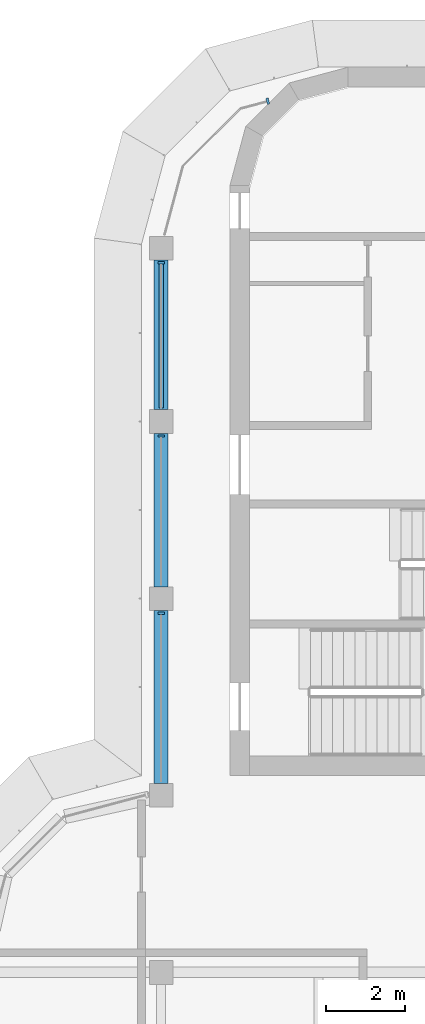
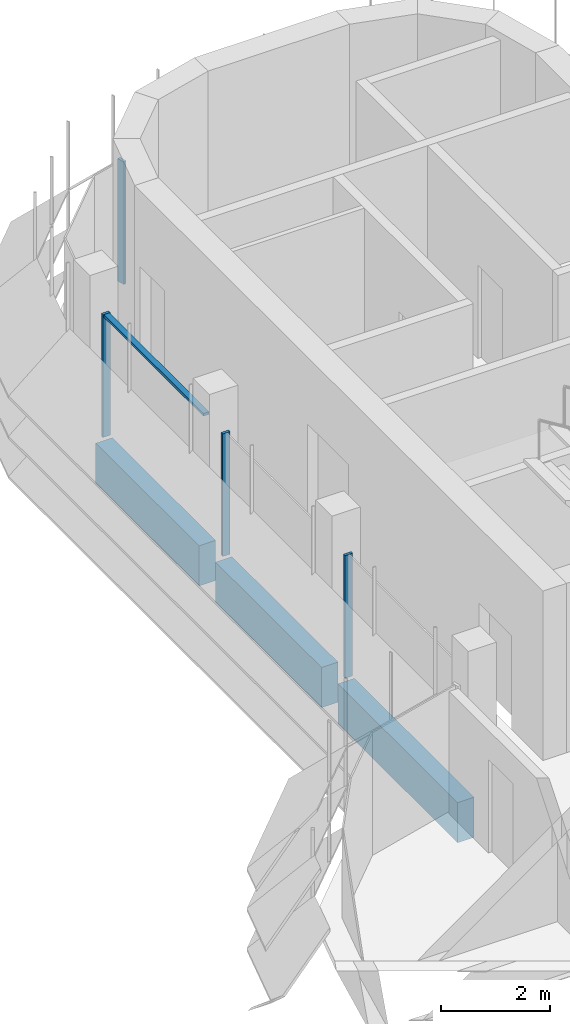
# One storey, part 7 of 19: 5 members, 3 beams, 2 elements without a shape of their own.
"""IFC4 building model written with IfcOpenShell, lengths in metres."""

from ifc_helpers import new_model, si_unit, direction, frame, origin, origin_2d, place, context, subcontext, project, spatial, polyline, rectangle, outline, extrude, source, transform, mapped, material, material_profile, profile_set, type_object, element, aggregate, save


model = new_model("IFC4")

# Units and contexts
model_context = context("Model", 3, precision=1e-05, world=origin(), true_north=direction((0.0, 1.0)))
body_context = subcontext(model_context, "Body", "Model", "MODEL_VIEW")
ifc_project = project(units=[si_unit("LENGTHUNIT", "METRE"), si_unit("AREAUNIT", "SQUARE_METRE"), si_unit("VOLUMEUNIT", "CUBIC_METRE"), si_unit("PLANEANGLEUNIT", "RADIAN"), si_unit("MASSUNIT", "GRAM", prefix="KILO")], contexts=[model_context])

# Site, building, storey
site_placement = place(None, origin())
site = spatial("IfcSite", under=ifc_project, at=site_placement, CompositionType="ELEMENT")
building_placement = place(site_placement, origin())
building = spatial("IfcBuilding", under=site, at=building_placement, Name="Zarbagh Exchange Tower", CompositionType="ELEMENT")
storey_placement = place(building_placement, frame((0.0, 0.0, 265.0)))
storey = spatial("IfcBuildingStorey", under=building, at=storey_placement, Name="L65", CompositionType="ELEMENT", Elevation=265.0)

# Beams
ifc_material_1 = material(Name="Concrete C40/50", Category="concrete")
ifc_material_profile = material_profile(ifc_material_1, rectangle(XDim=0.35009765625, YDim=0.89990234375, at=origin_2d()), Name="RC spandrel beam 350 x 900 C40/50")
ifc_profile_set = profile_set([ifc_material_profile], Name="Concrete C40/50")
beam_type = type_object("IfcBeamType", Name="RC spandrel beam 350 x 900 C40/50", PredefinedType="SPANDREL", material=ifc_profile_set)
beam_1_placement = place(storey_placement, frame((-6.25, 11.050048828125, -0.60009765625), z_axis=(0.0, 1.0, 0.0), x_axis=(-1.0, 0.0, 0.0)))
element("IfcBeam", 1, at=beam_1_placement, inside=storey, type_object=beam_type, Name="RC spandrel beam", PredefinedType="SPANDREL", context=body_context, shape_type="SweptSolid", body=[
    extrude(rectangle(XDim=0.35009765625, YDim=0.89990234375, at=origin_2d()), origin(), (0.0, 0.0, 1.0), 4.39990234375),
])
beam_2_placement = place(storey_placement, frame((-6.25, 16.050048828125, -0.60009765625), z_axis=(0.0, 1.0, 0.0), x_axis=(-1.0, 0.0, 0.0)))
element("IfcBeam", 2, at=beam_2_placement, inside=storey, type_object=beam_type, Name="RC spandrel beam", PredefinedType="SPANDREL", context=body_context, shape_type="SweptSolid", body=[
    extrude(rectangle(XDim=0.35009765625, YDim=0.89990234375, at=origin_2d()), origin(), (0.0, 0.0, 1.0), 3.89990234375),
])
beam_3_placement = place(storey_placement, frame((-6.25, 20.550048828125, -0.60009765625), z_axis=(0.0, 1.0, 0.0), x_axis=(-1.0, 0.0, 0.0)))
element("IfcBeam", 3, at=beam_3_placement, inside=storey, type_object=beam_type, Name="RC spandrel beam", PredefinedType="SPANDREL", context=body_context, shape_type="SweptSolid", body=[
    extrude(rectangle(XDim=0.35009765625, YDim=0.89990234375, at=origin_2d()), origin(), (0.0, 0.0, 1.0), 3.800048828125),
])

# Curtain wall, member
ifc_material_2 = material(Name="Anodised aluminium frame and glazing", Category="aluminium")
curtain_wall_type = type_object("IfcCurtainWallType", Name="CWB Ribbon glazing, upper zones", PredefinedType="NOTDEFINED", material=ifc_material_2)
curtain_wall_1_placement = place(storey_placement, origin())
curtain_wall_1 = element("IfcCurtainWall", 4, at=curtain_wall_1_placement, inside=storey, type_object=curtain_wall_type, Name="CWB70 curtain wall", PredefinedType="NOTDEFINED")
ifc_material_3 = material(Name="Anodised aluminium frame", Category="aluminium")
member_type_1 = type_object("IfcMemberType", Name="MUB Mullion, anodised aluminium frame", PredefinedType="MULLION", material=ifc_material_3)
shared_shape_1 = source(origin(), body_context, "Body", "SweptSolid", [
    extrude(outline(polyline([(0.0, -0.080078125), (0.06005859375, -0.080078125), (0.06005859375, 0.080078125), (0.0, 0.080078125), (0.0, -0.080078125)])), origin(), (0.0, 0.0, 1.0), 2.75),
])
placement = place(storey_placement, origin())
member_1 = element("IfcMember", 5, at=placement, type_object=member_type_1, Name="CWB70 mullion 1.1", PredefinedType="MULLION", context=body_context, shape_type="MappedRepresentation", body=[
    mapped(shared_shape_1, transform((-3.510009765625, 28.394775390625, 0.0), x_axis=(-0.965924289636, -0.258824779902, 0.0), y_axis=(0.258824779902, -0.965924289636, 0.0), z_axis=(0.0, 0.0, 1.0))),
])
aggregate(curtain_wall_1, [member_1])

# Curtain wall, members
curtain_wall_2_placement = place(storey_placement, origin())
curtain_wall_2 = element("IfcCurtainWall", 6, at=curtain_wall_2_placement, inside=storey, type_object=curtain_wall_type, Name="CWB73 curtain wall", PredefinedType="NOTDEFINED")
member_2 = element("IfcMember", 7, at=placement, type_object=member_type_1, Name="CWB73 mullion 1.1", PredefinedType="MULLION", context=body_context, shape_type="MappedRepresentation", body=[
    mapped(shared_shape_1, transform((-6.25, 24.31005859375, 0.0), x_axis=(0.0, -1.0, 0.0), y_axis=(1.0, 0.0, 0.0), z_axis=(0.0, 0.0, 1.0))),
])
member_3 = element("IfcMember", 8, at=placement, type_object=member_type_1, Name="CWB73 mullion 2.1", PredefinedType="MULLION", context=body_context, shape_type="MappedRepresentation", body=[
    mapped(shared_shape_1, transform((-6.25, 19.909912109375, 0.0), x_axis=(0.0, -1.0, 0.0), y_axis=(1.0, 0.0, 0.0), z_axis=(0.0, 0.0, 1.0))),
])
member_4 = element("IfcMember", 9, at=placement, type_object=member_type_1, Name="CWB73 mullion 3.1", PredefinedType="MULLION", context=body_context, shape_type="MappedRepresentation", body=[
    mapped(shared_shape_1, transform((-6.25, 15.409912109375, 0.0), x_axis=(0.0, -1.0, 0.0), y_axis=(1.0, 0.0, 0.0), z_axis=(0.0, 0.0, 1.0))),
])
member_type_2 = type_object("IfcMemberType", Name="TRB Transom, anodised aluminium frame", PredefinedType="USERDEFINED", material=ifc_material_3)
shared_shape_2 = source(origin(), body_context, "Body", "SweptSolid", [
    extrude(outline(polyline([(-0.06005859375, -0.06005859375), (0.0, -0.06005859375), (0.0, 0.06005859375), (-0.06005859375, 0.06005859375), (-0.06005859375, -0.06005859375)])), origin(), (0.0, 0.0, 1.0), 3.659912109375),
])
member_5 = element("IfcMember", 10, at=placement, type_object=member_type_2, Name="CWB73 transom 1.1", ObjectType="TRANSOM", PredefinedType="USERDEFINED", context=body_context, shape_type="MappedRepresentation", body=[
    mapped(shared_shape_2, transform((-6.25, 24.25, 2.75), x_axis=(0.0, 0.0, 1.0), y_axis=(-1.0, 0.0, 0.0), z_axis=(0.0, -1.0, 0.0))),
])
aggregate(curtain_wall_2, [member_2, member_5, member_3, member_4])

save(model, "model.ifc")
